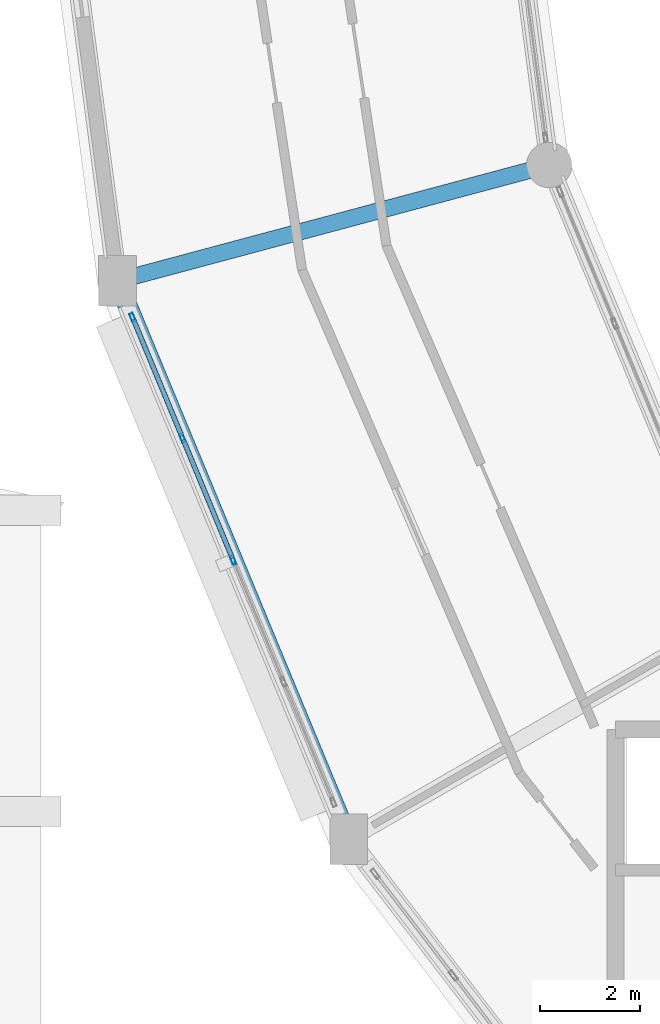
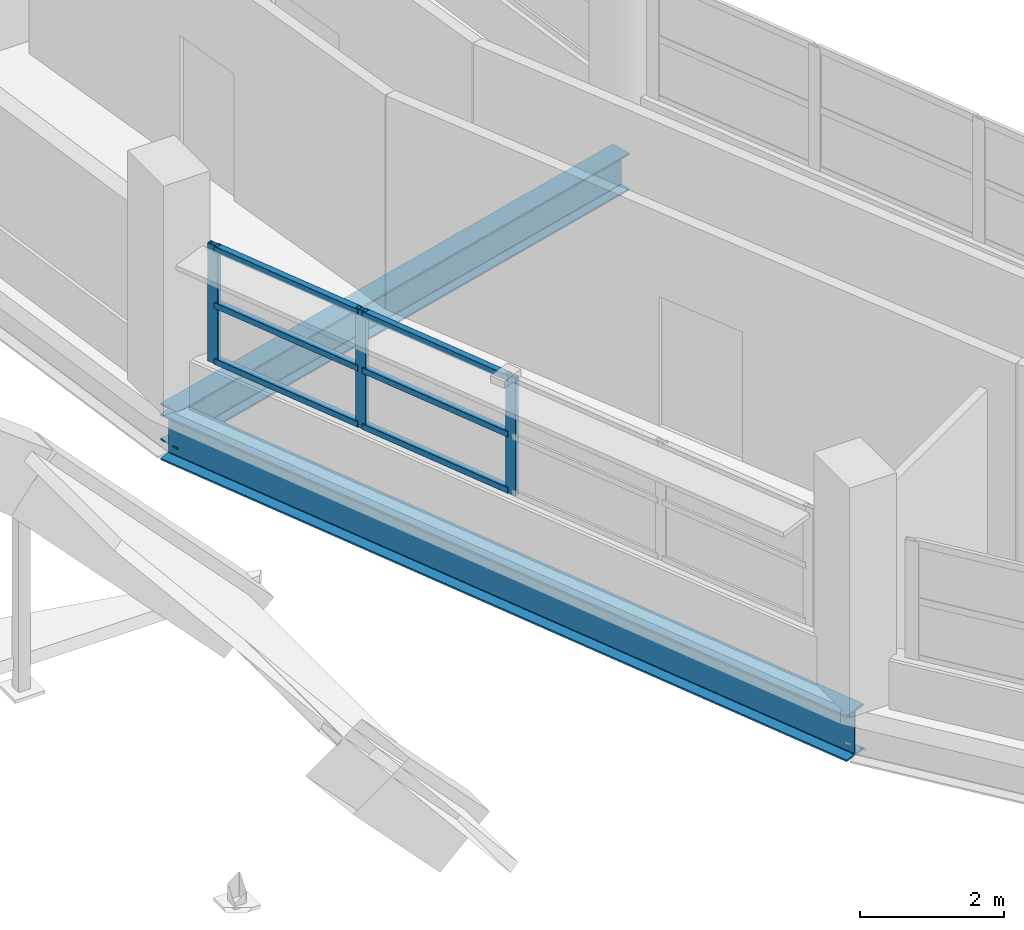
# One storey, part 15 of 88: 9 members, 2 beams, 1 element without a shape of its own.
"""IFC4 building model written with IfcOpenShell, lengths in metres."""

from ifc_helpers import new_model, si_unit, direction, frame, origin, origin_2d, place, context, subcontext, project, spatial, hollow_rectangle, i_section, extrude, material, layer, layer_set, material_profile, profile_set, type_object, element, aggregate, save


model = new_model("IFC4")

# Units and contexts
model_context = context("Model", 3, precision=1e-05, world=origin(), true_north=direction((0.0, 1.0)))
body_context = subcontext(model_context, "Body", "Model", "MODEL_VIEW")
ifc_project = project(units=[si_unit("LENGTHUNIT", "METRE"), si_unit("AREAUNIT", "SQUARE_METRE"), si_unit("VOLUMEUNIT", "CUBIC_METRE"), si_unit("PLANEANGLEUNIT", "RADIAN"), si_unit("MASSUNIT", "GRAM", prefix="KILO")], contexts=[model_context])

# Site, building, storey
site_placement = place(None, origin())
site = spatial("IfcSite", under=ifc_project, at=site_placement, CompositionType="ELEMENT")
building_placement = place(site_placement, origin())
building = spatial("IfcBuilding", under=site, at=building_placement, Name="Vespera Passage Community Centre", CompositionType="ELEMENT")
storey_placement = place(building_placement, frame((0.0, 0.0, 16.5)))
storey = spatial("IfcBuildingStorey", under=building, at=storey_placement, Name="L04", CompositionType="ELEMENT", Elevation=16.5)

# Beams
ifc_material_1 = material(Name="Steel ASTM A992 Grade 50", Category="steel")
ifc_material_profile_1 = material_profile(ifc_material_1, i_section(OverallWidth=0.32763671875, OverallDepth=0.62841796875, WebThickness=0.0166015625, FlangeThickness=0.027587890625, FilletRadius=0.0126953125, at=origin_2d()), Name="W24X146")
ifc_profile_set_1 = profile_set([ifc_material_profile_1], Name="Steel ASTM A992 Grade 50")
beam_type_1 = type_object("IfcBeamType", Name="BM-G-W24X146", PredefinedType="BEAM", material=ifc_profile_set_1)
beam_1_placement = place(storey_placement, frame((42.067626953125, 55.871826171875, -0.6142578125), z_axis=(-0.9659278487, -0.258811497245, 0.0), x_axis=(0.258811497245, -0.9659278487, 0.0)))
element("IfcBeam", 1, at=beam_1_placement, inside=storey, type_object=beam_type_1, Name="V4 L04 Radial Girder 13", PredefinedType="BEAM", context=body_context, shape_type="SweptSolid", body=[
    extrude(i_section(OverallWidth=0.32763671875, OverallDepth=0.62841796875, WebThickness=0.0166015625, FlangeThickness=0.027587890625, FilletRadius=0.0126953125, at=origin_2d()), origin(), (0.0, 0.0, 1.0), 8.900146484375),
])
ifc_material_2 = material(Name="Steel ASTM A992 Grade 50", Category="steel")
ifc_material_profile_2 = material_profile(ifc_material_2, i_section(OverallWidth=0.382080078125, OverallDepth=0.779296875, WebThickness=0.01806640625, FlangeThickness=0.030029296875, FilletRadius=0.0166015625, at=origin_2d()), Name="W30X191")
ifc_profile_set_2 = profile_set([ifc_material_profile_2], Name="Steel ASTM A992 Grade 50")
beam_type_2 = type_object("IfcBeamType", Name="BM-SP-W30X191E", PredefinedType="SPANDREL", material=ifc_profile_set_2)
beam_2_placement = place(storey_placement, frame((33.470703125, 53.568359375, -0.689697265625), z_axis=(0.382688629799, -0.923877379647, 0.0), x_axis=(0.923877379647, 0.382688629799, 0.0)))
element("IfcBeam", 2, at=beam_2_placement, inside=storey, type_object=beam_type_2, Name="V4 L04 Outer Spandrel 13", PredefinedType="SPANDREL", context=body_context, shape_type="SweptSolid", body=[
    extrude(i_section(OverallWidth=0.382080078125, OverallDepth=0.779296875, WebThickness=0.01806640625, FlangeThickness=0.030029296875, FilletRadius=0.0166015625, at=origin_2d()), origin(), (0.0, 0.0, 1.0), 12.034423828125),
])

# Curtain wall, members
ifc_material_3 = material(Name="Anodized aluminium 6063-T6", Category="aluminium")
ifc_layer = layer(ifc_material_3, 0.159912109375)
ifc_layer_set = layer_set([ifc_layer], Name="Anodized aluminium 6063-T6")
curtain_wall_type = type_object("IfcCurtainWallType", Name="CW-65E", PredefinedType="NOTDEFINED", material=ifc_layer_set)
curtain_wall_placement = place(storey_placement, origin())
curtain_wall = element("IfcCurtainWall", 3, at=curtain_wall_placement, inside=storey, type_object=curtain_wall_type, Name="V4 L04 Outer Ribbon Curtain Wall 13", PredefinedType="NOTDEFINED")
ifc_material_4 = material(Name="Anodized aluminium 6063-T6", Category="aluminium")
ifc_material_profile_3 = material_profile(ifc_material_4, hollow_rectangle(XDim=0.074951171875, YDim=0.179931640625, WallThickness=0.0048828125, InnerFilletRadius=0.00244140625, OuterFilletRadius=0.0048828125, at=origin_2d()), Name="ALU180X75X5")
ifc_profile_set_3 = profile_set([ifc_material_profile_3], Name="Anodized aluminium 6063-T6")
member_type_1 = type_object("IfcMemberType", Name="MB-CWM-180E", PredefinedType="MULLION", material=ifc_profile_set_3)
member_1_placement = place(storey_placement, frame((35.7734375, 48.00927734375, 0.820068359375), z_axis=(0.0, 0.0, 1.0), x_axis=(-0.923881309405, -0.382679142535, 0.0)))
member_1 = element("IfcMember", 4, at=member_1_placement, type_object=member_type_1, Name="CW-65E mullion 3", PredefinedType="MULLION", context=body_context, shape_type="SweptSolid", body=[
    extrude(hollow_rectangle(XDim=0.074951171875, YDim=0.179931640625, WallThickness=0.0048828125, InnerFilletRadius=0.00244140625, OuterFilletRadius=0.0048828125, at=origin_2d()), origin(), (0.0, 0.0, 1.0), 2.005615234375),
])
member_2_placement = place(storey_placement, frame((34.766845703125, 50.439453125, 0.820068359375), z_axis=(0.0, 0.0, 1.0), x_axis=(-0.923881309405, -0.382679142535, 0.0)))
member_2 = element("IfcMember", 5, at=member_2_placement, type_object=member_type_1, Name="CW-65E mullion 4", PredefinedType="MULLION", context=body_context, shape_type="SweptSolid", body=[
    extrude(hollow_rectangle(XDim=0.074951171875, YDim=0.179931640625, WallThickness=0.0048828125, InnerFilletRadius=0.00244140625, OuterFilletRadius=0.0048828125, at=origin_2d()), origin(), (0.0, 0.0, 1.0), 2.005615234375),
])
member_3_placement = place(storey_placement, frame((33.774658203125, 52.835205078125, 0.820068359375), z_axis=(0.0, 0.0, 1.0), x_axis=(-0.923881309405, -0.382679142535, 0.0)))
member_3 = element("IfcMember", 6, at=member_3_placement, type_object=member_type_1, Name="CW-65E mullion 5", PredefinedType="MULLION", context=body_context, shape_type="SweptSolid", body=[
    extrude(hollow_rectangle(XDim=0.074951171875, YDim=0.179931640625, WallThickness=0.0048828125, InnerFilletRadius=0.00244140625, OuterFilletRadius=0.0048828125, at=origin_2d()), origin(), (0.0, 0.0, 1.0), 2.005615234375),
])
ifc_material_5 = material(Name="Anodized aluminium 6063-T6", Category="aluminium")
ifc_material_profile_4 = material_profile(ifc_material_5, hollow_rectangle(XDim=0.10009765625, YDim=0.10009765625, WallThickness=0.00390625, InnerFilletRadius=0.001953125, OuterFilletRadius=0.00390625, at=origin_2d()), Name="ALU100X100X4")
ifc_profile_set_4 = profile_set([ifc_material_profile_4], Name="Anodized aluminium 6063-T6")
member_type_2 = type_object("IfcMemberType", Name="MB-CWT-100E", PredefinedType="USERDEFINED", material=ifc_profile_set_4)
member_4_placement = place(storey_placement, frame((35.759033203125, 48.0439453125, 0.8701171875), z_axis=(-0.382647130015, 0.923894568601, 0.0), x_axis=(-0.923894568601, -0.382647130015, 0.0)))
member_4 = element("IfcMember", 7, at=member_4_placement, type_object=member_type_2, Name="CW-65E transom 3.1", ObjectType="TRANSOM", PredefinedType="USERDEFINED", context=body_context, shape_type="SweptSolid", body=[
    extrude(hollow_rectangle(XDim=0.10009765625, YDim=0.10009765625, WallThickness=0.00390625, InnerFilletRadius=0.001953125, OuterFilletRadius=0.00390625, at=origin_2d()), origin(), (0.0, 0.0, 1.0), 2.555419921875),
])
member_5_placement = place(storey_placement, frame((35.759033203125, 48.0439453125, 1.82275390625), z_axis=(-0.382647130015, 0.923894568601, 0.0), x_axis=(-0.923894568601, -0.382647130015, 0.0)))
member_5 = element("IfcMember", 8, at=member_5_placement, type_object=member_type_2, Name="CW-65E transom 3.2", ObjectType="TRANSOM", PredefinedType="USERDEFINED", context=body_context, shape_type="SweptSolid", body=[
    extrude(hollow_rectangle(XDim=0.10009765625, YDim=0.10009765625, WallThickness=0.00390625, InnerFilletRadius=0.001953125, OuterFilletRadius=0.00390625, at=origin_2d()), origin(), (0.0, 0.0, 1.0), 2.555419921875),
])
member_6_placement = place(storey_placement, frame((35.759033203125, 48.0439453125, 2.775634765625), z_axis=(-0.382647130015, 0.923894568601, 0.0), x_axis=(-0.923894568601, -0.382647130015, 0.0)))
member_6 = element("IfcMember", 9, at=member_6_placement, type_object=member_type_2, Name="CW-65E transom 3.3", ObjectType="TRANSOM", PredefinedType="USERDEFINED", context=body_context, shape_type="SweptSolid", body=[
    extrude(hollow_rectangle(XDim=0.10009765625, YDim=0.10009765625, WallThickness=0.00390625, InnerFilletRadius=0.001953125, OuterFilletRadius=0.00390625, at=origin_2d()), origin(), (0.0, 0.0, 1.0), 2.555419921875),
])
member_7_placement = place(storey_placement, frame((34.75244140625, 50.47412109375, 0.8701171875), z_axis=(-0.3826800364, 0.923880939159, 0.0), x_axis=(-0.923880939159, -0.3826800364, 0.0)))
member_7 = element("IfcMember", 10, at=member_7_placement, type_object=member_type_2, Name="CW-65E transom 4.1", ObjectType="TRANSOM", PredefinedType="USERDEFINED", context=body_context, shape_type="SweptSolid", body=[
    extrude(hollow_rectangle(XDim=0.10009765625, YDim=0.10009765625, WallThickness=0.00390625, InnerFilletRadius=0.001953125, OuterFilletRadius=0.00390625, at=origin_2d()), origin(), (0.0, 0.0, 1.0), 2.51806640625),
])
member_8_placement = place(storey_placement, frame((34.75244140625, 50.47412109375, 1.82275390625), z_axis=(-0.3826800364, 0.923880939159, 0.0), x_axis=(-0.923880939159, -0.3826800364, 0.0)))
member_8 = element("IfcMember", 11, at=member_8_placement, type_object=member_type_2, Name="CW-65E transom 4.2", ObjectType="TRANSOM", PredefinedType="USERDEFINED", context=body_context, shape_type="SweptSolid", body=[
    extrude(hollow_rectangle(XDim=0.10009765625, YDim=0.10009765625, WallThickness=0.00390625, InnerFilletRadius=0.001953125, OuterFilletRadius=0.00390625, at=origin_2d()), origin(), (0.0, 0.0, 1.0), 2.51806640625),
])
member_9_placement = place(storey_placement, frame((34.75244140625, 50.47412109375, 2.775634765625), z_axis=(-0.3826800364, 0.923880939159, 0.0), x_axis=(-0.923880939159, -0.3826800364, 0.0)))
member_9 = element("IfcMember", 12, at=member_9_placement, type_object=member_type_2, Name="CW-65E transom 4.3", ObjectType="TRANSOM", PredefinedType="USERDEFINED", context=body_context, shape_type="SweptSolid", body=[
    extrude(hollow_rectangle(XDim=0.10009765625, YDim=0.10009765625, WallThickness=0.00390625, InnerFilletRadius=0.001953125, OuterFilletRadius=0.00390625, at=origin_2d()), origin(), (0.0, 0.0, 1.0), 2.51806640625),
])
aggregate(curtain_wall, [member_1, member_2, member_3, member_4, member_5, member_6, member_7, member_8, member_9])

save(model, "model.ifc")
